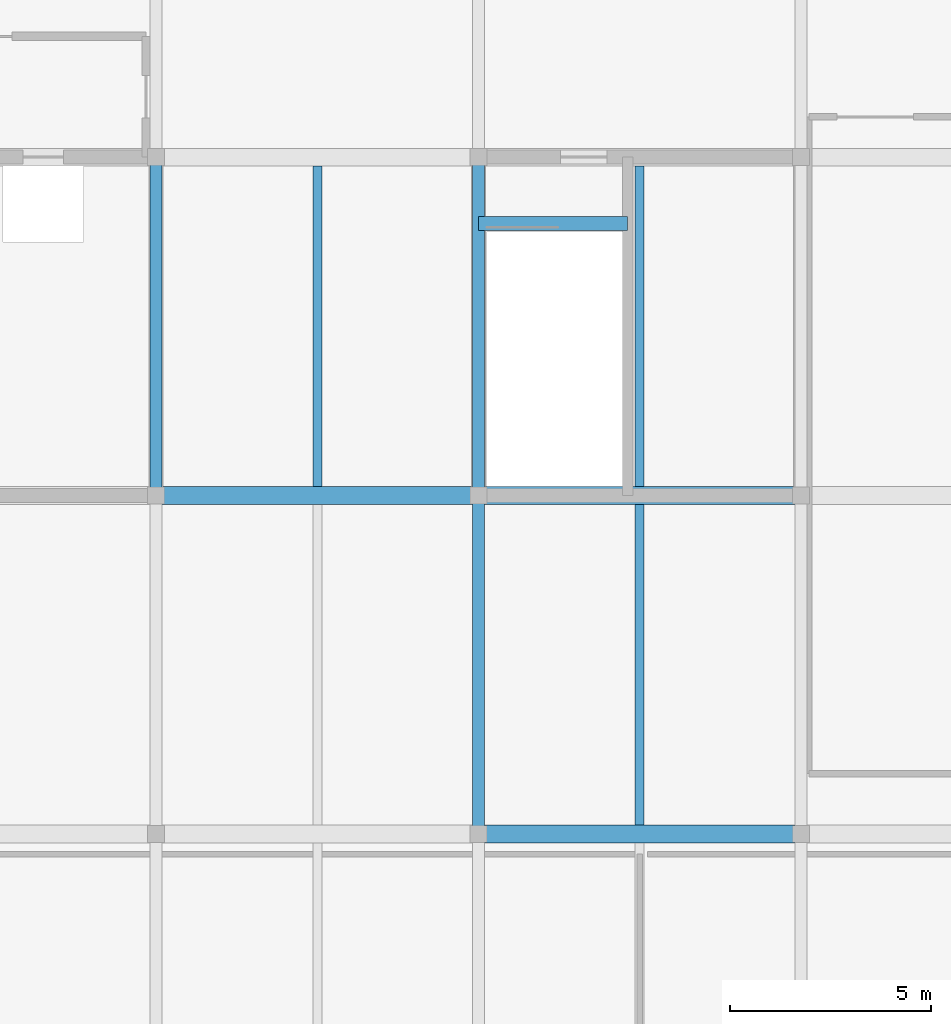
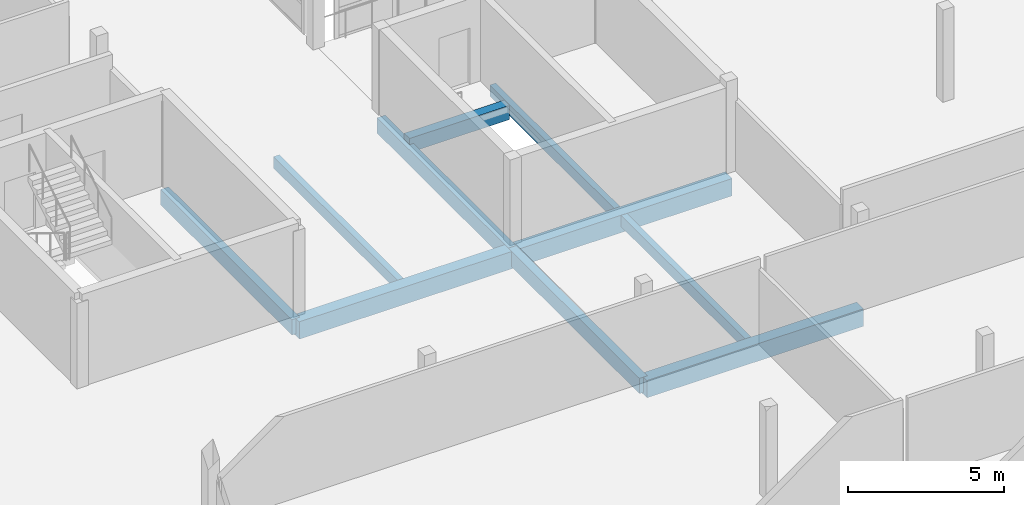
# One storey, part 17 of 51: 10 beams.
"""IFC4 building model written with IfcOpenShell, lengths in metres."""

from ifc_helpers import new_model, si_unit, direction, frame, origin, origin_2d, place, context, subcontext, project, spatial, rectangle, extrude, material, material_profile, profile_set, type_object, element, save


model = new_model("IFC4")

# Units and contexts
model_context = context("Model", 3, precision=1e-05, world=origin(), true_north=direction((0.0, 1.0)))
body_context = subcontext(model_context, "Body", "Model", "MODEL_VIEW")
ifc_project = project(units=[si_unit("LENGTHUNIT", "METRE"), si_unit("AREAUNIT", "SQUARE_METRE"), si_unit("VOLUMEUNIT", "CUBIC_METRE"), si_unit("PLANEANGLEUNIT", "RADIAN"), si_unit("MASSUNIT", "GRAM", prefix="KILO")], contexts=[model_context])

# Site, building, storey
site_placement = place(None, origin())
site = spatial("IfcSite", under=ifc_project, at=site_placement, CompositionType="ELEMENT")
building_placement = place(site_placement, origin())
building = spatial("IfcBuilding", under=site, at=building_placement, Name="Vharandega Faculty of Natural Sciences", CompositionType="ELEMENT")
storey_placement = place(building_placement, frame((0.0, 0.0, 14.39990234375)))
storey = spatial("IfcBuildingStorey", under=building, at=storey_placement, Name="L03", CompositionType="ELEMENT", Elevation=14.39990234375)

# Beams
ifc_material_1 = material(Name="Glulam GL28h", Category="wood")
ifc_material_profile_1 = material_profile(ifc_material_1, rectangle(XDim=0.300048828125, YDim=0.60009765625, at=origin_2d()), Name="GL28h 300x600")
ifc_profile_set_1 = profile_set([ifc_material_profile_1], Name="Glulam GL28h")
beam_type_1 = type_object("IfcBeamType", Name="Glulam Floor Beam 300x600", PredefinedType="BEAM", material=ifc_profile_set_1)
beam_1_placement = place(storey_placement, frame((16.0, 72.39990234375, -0.539794921875), z_axis=(0.0, 1.0, 0.0), x_axis=(-1.0, 0.0, 0.0)))
element("IfcBeam", 1, at=beam_1_placement, inside=storey, type_object=beam_type_1, Name="Beam L03 3/K-L", PredefinedType="BEAM", context=body_context, shape_type="SweptSolid", body=[
    extrude(rectangle(XDim=0.300048828125, YDim=0.60009765625, at=origin_2d()), origin(), (0.0, 0.0, 1.0), 8.400146484375),
])
beam_2_placement = place(storey_placement, frame((24.0, 64.0, -0.539794921875), z_axis=(0.0, 1.0, 0.0), x_axis=(-1.0, 0.0, 0.0)))
element("IfcBeam", 2, at=beam_2_placement, inside=storey, type_object=beam_type_1, Name="Beam L03 4/J-K", PredefinedType="BEAM", context=body_context, shape_type="SweptSolid", body=[
    extrude(rectangle(XDim=0.300048828125, YDim=0.60009765625, at=origin_2d()), origin(), (0.0, 0.0, 1.0), 8.39990234375),
])
beam_3_placement = place(storey_placement, frame((24.0, 72.39990234375, -0.539794921875), z_axis=(0.0, 1.0, 0.0), x_axis=(-1.0, 0.0, 0.0)))
element("IfcBeam", 3, at=beam_3_placement, inside=storey, type_object=beam_type_1, Name="Beam L03 4/K-L", PredefinedType="BEAM", context=body_context, shape_type="SweptSolid", body=[
    extrude(rectangle(XDim=0.300048828125, YDim=0.60009765625, at=origin_2d()), origin(), (0.0, 0.0, 1.0), 8.400146484375),
])
ifc_material_2 = material(Name="Glulam GL32h", Category="wood")
ifc_material_profile_2 = material_profile(ifc_material_2, rectangle(XDim=0.43994140625, YDim=0.679931640625, at=origin_2d()), Name="GL32h 440x680")
ifc_profile_set_2 = profile_set([ifc_material_profile_2], Name="Glulam GL32h")
beam_type_2 = type_object("IfcBeamType", Name="Glulam Girder 440x680", PredefinedType="BEAM", material=ifc_profile_set_2)
for number, where, z_axis, x_axis, name in (
    (4, (24.0, 64.0, -0.579833984375), (1.0, 0.0, 0.0), (0.0, 1.0, 0.0), "Beam L03 J/4-5"),
    (5, (16.0, 72.39990234375, -0.579833984375), (1.0, 0.0, 0.0), (0.0, 1.0, 0.0), "Beam L03 K/3-4"),
    (6, (24.0, 72.39990234375, -0.579833984375), (1.0, 0.0, 0.0), (0.0, 1.0, 0.0), "Beam L03 K/4-5"),
):
    element("IfcBeam", number, at=place(storey_placement, frame(where, z_axis=z_axis, x_axis=x_axis)), inside=storey, type_object=beam_type_2, Name=name, PredefinedType="BEAM", context=body_context, shape_type="SweptSolid", body=[
        extrude(rectangle(XDim=0.43994140625, YDim=0.679931640625, at=origin_2d()), origin(), (0.0, 0.0, 1.0), 8.0),
    ])
ifc_material_3 = material(Name="Glulam GL28h", Category="wood")
ifc_material_profile_3 = material_profile(ifc_material_3, rectangle(XDim=0.219970703125, YDim=0.43994140625, at=origin_2d()), Name="GL28h 220x440")
ifc_profile_set_3 = profile_set([ifc_material_profile_3], Name="Glulam GL28h")
beam_type_3 = type_object("IfcBeamType", Name="Glulam Secondary Joist 220x440", PredefinedType="JOIST", material=ifc_profile_set_3)
for number, where, z_axis, x_axis, name in (
    (7, (20.0, 72.6201171875, -0.4599609375), (0.0, 1.0, 0.0), (-1.0, 0.0, 0.0), "Secondary Joist L03 3-4/K-L"),
    (8, (28.0, 64.219970703125, -0.4599609375), (0.0, 1.0, 0.0), (-1.0, 0.0, 0.0), "Secondary Joist L03 4-5/J-K"),
    (9, (28.0, 72.6201171875, -0.4599609375), (0.0, 1.0, 0.0), (-1.0, 0.0, 0.0), "Secondary Joist L03 4-5/K-L"),
):
    element("IfcBeam", number, at=place(storey_placement, frame(where, z_axis=z_axis, x_axis=x_axis)), inside=storey, type_object=beam_type_3, Name=name, PredefinedType="JOIST", context=body_context, shape_type="SweptSolid", body=[
        extrude(rectangle(XDim=0.219970703125, YDim=0.43994140625, at=origin_2d()), origin(), (0.0, 0.0, 1.0), 7.9599609375),
    ])
ifc_material_4 = material(Name="Concrete C40/50", Category="concrete")
ifc_material_profile_4 = material_profile(ifc_material_4, rectangle(XDim=0.35009765625, YDim=0.550048828125, at=origin_2d()), Name="RC 350x550")
ifc_profile_set_4 = profile_set([ifc_material_profile_4], Name="Concrete C40/50")
beam_type_4 = type_object("IfcBeamType", Name="Stair Header Trimmer Beam 350x550", PredefinedType="BEAM", material=ifc_profile_set_4)
beam_4_placement = place(storey_placement, frame((24.0, 79.14990234375, -0.27490234375), z_axis=(1.0, 0.0, 0.0), x_axis=(0.0, 1.0, 0.0)))
element("IfcBeam", 10, at=beam_4_placement, inside=storey, type_object=beam_type_4, Name="Stair Landing Trimmer Beam C6 L03", PredefinedType="BEAM", context=body_context, shape_type="SweptSolid", body=[
    extrude(rectangle(XDim=0.35009765625, YDim=0.550048828125, at=origin_2d()), origin(), (0.0, 0.0, 1.0), 3.699951171875),
])

save(model, "model.ifc")
